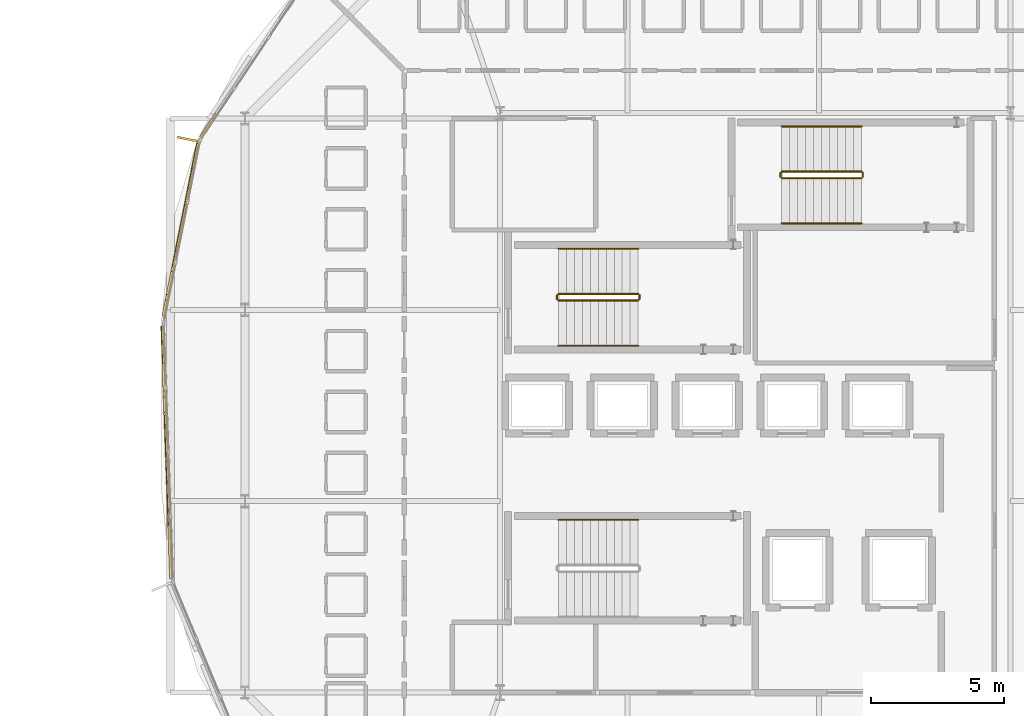
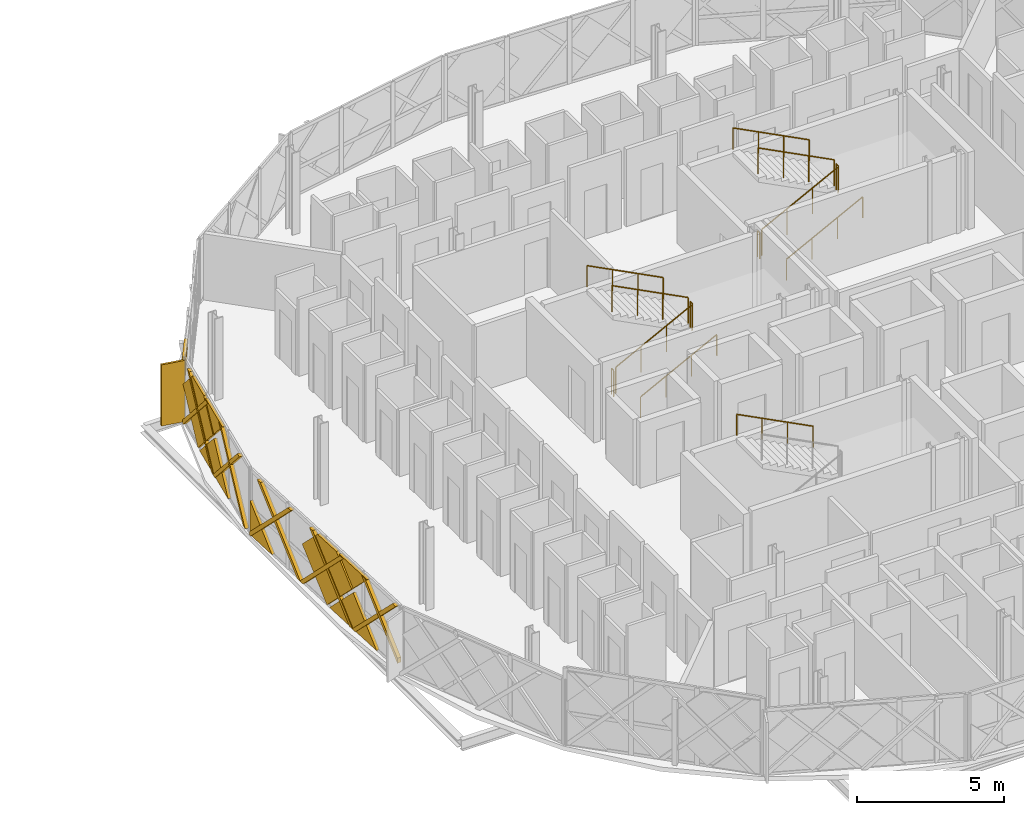
# One storey, part 38 of 40: 18 coverings, 13 railings, 1 shading device.
"""IFC4 building model written with IfcOpenShell, lengths in metres."""

import ifcopenshell
import ifcopenshell.guid

model = None  # the IFC model being written
_history = None  # IfcOwnerHistory: only IFC2X3 demands one
_inside = {}  # id of a spatial element -> (the spatial element, [elements in it])
_under = {}  # id of a project, library or spatial element -> (it, [spatial elements below it])
_declared = {}  # id of a project -> (the project, [libraries it declares])
_typed = {}  # id of a type object -> (the type object, [elements of that type])
_made_of = {}  # id of a material, layer set ... -> (it, [elements and type objects made of it])


def new_model(schema):
    """Start an empty IFC model of exactly this schema.

    Asked for "IFC4X3", IfcOpenShell would pick the latest addendum, in which some entities
    have other attributes; the version numbers below select the first issue.
    IFC2X3 requires an IfcOwnerHistory on every rooted entity: one is made here for all.
    """
    global model, _history
    if schema == "IFC4X3":
        model = ifcopenshell.file(schema_version=(4, 3, 0, 0))
    else:
        model = ifcopenshell.file(schema=schema)
    _inside.clear()
    _under.clear()
    _declared.clear()
    _typed.clear()
    _made_of.clear()
    _history = None
    if model.schema == "IFC2X3":
        org = make("IfcOrganization", Name="unknown")
        user = make(
            "IfcPersonAndOrganization",
            ThePerson=make("IfcPerson", FamilyName="unknown"),
            TheOrganization=org,
        )
        app = make(
            "IfcApplication",
            ApplicationDeveloper=org,
            Version="unknown",
            ApplicationFullName="unknown",
            ApplicationIdentifier="unknown",
        )
        _history = make(
            "IfcOwnerHistory",
            OwningUser=user,
            OwningApplication=app,
            ChangeAction="ADDED",
            CreationDate=0,
        )
    return model


def make(cls, **values):
    """One entity of the class cls with the attributes given. An attribute that is None is left unset."""
    return model.create_entity(
        cls, **{name: value for name, value in values.items() if value is not None}
    )


def rooted(cls, **values):
    """An entity with a GlobalId (a new one), such as an element, a storey or a relation."""
    return make(cls, GlobalId=ifcopenshell.guid.new(), OwnerHistory=_history, **values)


def si_unit(unit_type, name, prefix=None):
    """IfcSIUnit, for example si_unit("LENGTHUNIT", "METRE", prefix="MILLI")."""
    return make("IfcSIUnit", UnitType=unit_type, Prefix=prefix, Name=name)


def assignment(units):
    """IfcUnitAssignment: the units of a project."""
    return None if units is None else make("IfcUnitAssignment", Units=units)


def point(xyz):
    """IfcCartesianPoint."""
    return None if xyz is None else make("IfcCartesianPoint", Coordinates=xyz)


def direction(xyz):
    """IfcDirection."""
    return None if xyz is None else make("IfcDirection", DirectionRatios=xyz)


def frame(location, z_axis=None, x_axis=None):
    """IfcAxis2Placement3D, a coordinate frame: its origin and axes. An axis left out is left unset."""
    return make(
        "IfcAxis2Placement3D",
        Location=point(location),
        Axis=direction(z_axis),
        RefDirection=direction(x_axis),
    )


def frame_2d(location, x_axis=None):
    """IfcAxis2Placement2D, a coordinate frame in the plane: its origin and x axis."""
    return make(
        "IfcAxis2Placement2D", Location=point(location), RefDirection=direction(x_axis)
    )


def origin():
    """The frame at (0, 0, 0) with its axes left unset."""
    return frame((0.0, 0.0, 0.0))


def origin_2d():
    """The frame at (0, 0) in the plane with its x axis left unset."""
    return frame_2d((0.0, 0.0))


def place(relative_to, where):
    """IfcLocalPlacement: puts the frame where relative to a parent placement (None: the world)."""
    return make(
        "IfcLocalPlacement", PlacementRelTo=relative_to, RelativePlacement=where
    )


def context(
    kind, dimensions, precision=None, world=None, true_north=None, identifier=None
):
    """IfcGeometricRepresentationContext, for example the 3D "Model" context."""
    return make(
        "IfcGeometricRepresentationContext",
        ContextIdentifier=identifier,
        ContextType=kind,
        CoordinateSpaceDimension=dimensions,
        Precision=precision,
        WorldCoordinateSystem=world,
        TrueNorth=true_north,
    )


def subcontext(parent, identifier, kind, view, scale=None):
    """IfcGeometricRepresentationSubContext, for example "Body" below "Model"."""
    return make(
        "IfcGeometricRepresentationSubContext",
        ContextIdentifier=identifier,
        ContextType=kind,
        ParentContext=parent,
        TargetScale=scale,
        TargetView=view,
    )


def project(units=None, contexts=None):
    """IfcProject with its units and contexts."""
    return rooted(
        "IfcProject",
        Name="project",
        RepresentationContexts=contexts,
        UnitsInContext=assignment(units),
    )


def spatial(cls, under=None, at=None, **own):
    """A site, building, storey or space (cls), placed at a placement, below another one or the project."""
    s = rooted(cls, ObjectPlacement=at, **own)
    if under is not None:
        _under.setdefault(under.id(), (under, []))[1].append(s)
    return s


def polyline(points):
    """IfcPolyline through the points."""
    return make("IfcPolyline", Points=[point(p) for p in points])


def profile(cls, at=None, kind="AREA", **sizes):
    """A parametric profile (cls). Its sizes go by their IFC names, for example OverallWidth=200.0."""
    return make(cls, ProfileType=kind, Position=at, **sizes)


def rectangle(**sizes):
    """IfcRectangleProfileDef."""
    return profile("IfcRectangleProfileDef", **sizes)


def circle(**sizes):
    """IfcCircleProfileDef."""
    return profile("IfcCircleProfileDef", **sizes)


def outline(outer, holes=None, kind="AREA"):
    """IfcArbitraryClosedProfileDef: a profile drawn as a closed curve; with holes, ...WithVoids."""
    if holes is None:
        return make("IfcArbitraryClosedProfileDef", ProfileType=kind, OuterCurve=outer)
    return make(
        "IfcArbitraryProfileDefWithVoids",
        ProfileType=kind,
        OuterCurve=outer,
        InnerCurves=holes,
    )


def extrude(swept, where, along, depth):
    """IfcExtrudedAreaSolid: the profile swept, set in the frame where, extruded along a direction by depth."""
    return make(
        "IfcExtrudedAreaSolid",
        SweptArea=swept,
        Position=where,
        ExtrudedDirection=direction(along),
        Depth=depth,
    )


def shape(context_of_items, identifier, shape_type, items):
    """IfcShapeRepresentation: the items that make up one representation, for example the "Body"."""
    return make(
        "IfcShapeRepresentation",
        ContextOfItems=context_of_items,
        RepresentationIdentifier=identifier,
        RepresentationType=shape_type,
        Items=items,
    )


def material(Name=None, Category=None):
    """IfcMaterial."""
    return make("IfcMaterial", Name=Name, Category=Category)


def layer(
    of_material, thickness, ventilated=None, Name=None, Category=None, Priority=None
):
    """IfcMaterialLayer: one layer of a wall or slab, of a material (None: an air gap)."""
    return make(
        "IfcMaterialLayer",
        Material=of_material,
        LayerThickness=thickness,
        IsVentilated=ventilated,
        Name=Name,
        Category=Category,
        Priority=Priority,
    )


def layer_set(layers, Name=None):
    """IfcMaterialLayerSet."""
    return make("IfcMaterialLayerSet", MaterialLayers=layers, LayerSetName=Name)


def made_of(thing, what):
    """Note that an element or type object is made of a material, layer set ...; save() writes the relation."""
    if what is not None:
        _made_of.setdefault(what.id(), (what, []))[1].append(thing)
    return thing


def type_object(cls, material=None, **own):
    """A type object (cls), such as IfcWallType, which elements share."""
    return made_of(rooted(cls, **own), material)


def element(
    cls,
    number,
    at=None,
    inside=None,
    cuts=None,
    type_object=None,
    material=None,
    context=None,
    identifier="Body",
    shape_type=None,
    held_by="IfcProductDefinitionShape",
    body=None,
    shapes=None,
    **own,
):
    """One element of the class cls, such as IfcWall. Its Tag is "e" and its number.

    at: its placement. inside: the storey or other place that contains it. cuts: it is an
    opening in that element (IfcRelVoidsElement). A single representation is given by context,
    identifier, shape_type and body (its items); several are given by shapes. held_by: the class
    of the entity that holds the representations. save() writes the other relations.
    """
    e = rooted(cls, Tag="e%d" % number, ObjectPlacement=at, **own)
    if body is not None:
        shapes = [shape(context, identifier, shape_type, body)]
    if shapes is not None:
        e.Representation = make(held_by, Representations=shapes)
    if inside is not None:
        _inside.setdefault(inside.id(), (inside, []))[1].append(e)
    if cuts is not None:
        rooted(
            "IfcRelVoidsElement", RelatingBuildingElement=cuts, RelatedOpeningElement=e
        )
    if type_object is not None:
        _typed.setdefault(type_object.id(), (type_object, []))[1].append(e)
    return made_of(e, material)


def aggregate(whole, parts):
    """IfcRelAggregates: a whole, such as a stair, and the parts it consists of."""
    return rooted("IfcRelAggregates", RelatingObject=whole, RelatedObjects=parts)


def save(model, path):
    """Write the relations noted so far, then the file.

    IfcRelAggregates (storeys below a building ...), IfcRelContainedInSpatialStructure (elements
    in a storey), IfcRelDefinesByType, IfcRelAssociatesMaterial and IfcRelDeclares: one each for
    every whole, place, type object, material and project.
    """
    for whole, parts in _under.values():
        aggregate(whole, parts)
    for where, things in _inside.values():
        rooted(
            "IfcRelContainedInSpatialStructure",
            RelatedElements=things,
            RelatingStructure=where,
        )
    for kind, things in _typed.values():
        rooted("IfcRelDefinesByType", RelatedObjects=things, RelatingType=kind)
    for what, things in _made_of.values():
        rooted("IfcRelAssociatesMaterial", RelatedObjects=things, RelatingMaterial=what)
    for by, libraries in _declared.values():
        rooted("IfcRelDeclares", RelatingContext=by, RelatedDefinitions=libraries)
    model.write(path)


model = new_model("IFC4")

# Units and contexts
model_context = context("Model", 3, precision=1e-05, world=origin(), true_north=direction((0.0, 1.0)))
body_context = subcontext(model_context, "Body", "Model", "MODEL_VIEW")
ifc_project = project(units=[si_unit("LENGTHUNIT", "METRE"), si_unit("AREAUNIT", "SQUARE_METRE"), si_unit("VOLUMEUNIT", "CUBIC_METRE"), si_unit("PLANEANGLEUNIT", "RADIAN"), si_unit("MASSUNIT", "GRAM", prefix="KILO")], contexts=[model_context])

# Site, building, storey
site_placement = place(None, origin())
site = spatial("IfcSite", under=ifc_project, at=site_placement, CompositionType="ELEMENT")
building_placement = place(site_placement, origin())
building = spatial("IfcBuilding", under=site, at=building_placement, Name="Zevrakil Square Congress Hotel", CompositionType="ELEMENT")
storey_placement = place(building_placement, frame((0.0, 0.0, 18.10009765625)))
storey = spatial("IfcBuildingStorey", under=building, at=storey_placement, Name="L05", CompositionType="ELEMENT", Elevation=18.10009765625)

# Coverings
ifc_material_1 = material(Name="Architectural White Fibre-C GRC", Category="concrete")
ifc_layer_1 = layer(ifc_material_1, 0.06494140625)
ifc_layer_set_1 = layer_set([ifc_layer_1], Name="Architectural White Fibre-C GRC")
covering_type_1 = type_object("IfcCoveringType", Name="COV-DIA-WHITE", PredefinedType="CLADDING", material=ifc_layer_set_1)
covering_1_placement = place(storey_placement, frame((125.5947265625, 37.8583984375, 1.77001953125), z_axis=(-0.831540139876, 0.555464096178, 0.000796010431), x_axis=(0.393309836321, 0.587779036879, 0.706981737005)))
element("IfcCovering", 1, at=covering_1_placement, inside=storey, type_object=covering_type_1, Name="L05 45-degree white GRC diamond facade cassette 2423", PredefinedType="CLADDING", context=body_context, shape_type="SweptSolid", body=[
    extrude(outline(polyline([(0.0, 0.0), (1.2656273309942652, -1.1102230246251565e-16), (0.5012807679407145, -0.7640767600801669), (-0.0001793850460992119, -0.2625360340766439), (0.0, 0.0)])), origin(), (0.0, 0.0, -1.0), 0.1201171875),
])
covering_2_placement = place(storey_placement, frame((124.7666015625, 34.29150390625, 1.58984375), z_axis=(-0.980772761195, 0.195152113874, 0.00066584368), x_axis=(-0.138452026145, -0.693403417479, -0.70712285855)))
element("IfcCovering", 2, at=covering_2_placement, inside=storey, type_object=covering_type_1, Name="L05 45-degree white GRC diamond facade cassette 2428", PredefinedType="CLADDING", context=body_context, shape_type="SweptSolid", body=[
    extrude(outline(polyline([(0.0, 0.0), (2.1354277370134915, 0.0), (2.8945028464733014e-05, -2.13549684649022), (0.0, 0.0)])), origin(), (0.0, 0.0, -1.0), 0.1201171875),
])
covering_3_placement = place(storey_placement, frame((124.7841796875, 34.3798828125, 1.679931640625), z_axis=(-0.980786468834, 0.195083366081, 0.000618733654), x_axis=(0.137507610162, 0.693565742481, -0.707147946334)))
element("IfcCovering", 3, at=covering_3_placement, inside=storey, type_object=covering_type_1, Name="L05 45-degree white GRC diamond facade cassette 2429", PredefinedType="CLADDING", context=body_context, shape_type="SweptSolid", body=[
    extrude(outline(polyline([(0.0, 0.0), (2.2485930595475336, 2.220446049250313e-16), (2.248500872274836, -2.234606772823052), (2.2343441018648336, -2.248761889551516), (0.8554681883277558, -2.2484567043798855), (-9.649263601874125e-05, -1.3927920457710392), (0.0, 0.0)])), origin(), (0.0, 0.0, -1.0), 0.1201171875),
])
covering_4_placement = place(storey_placement, frame((124.7666015625, 34.29150390625, 1.77001953125), z_axis=(-0.980795010959, 0.195040587633, 0.000561830918), x_axis=(0.138319236448, 0.693525320824, 0.70702929091)))
element("IfcCovering", 4, at=covering_4_placement, inside=storey, type_object=covering_type_1, Name="L05 45-degree white GRC diamond facade cassette 2430", PredefinedType="CLADDING", context=body_context, shape_type="SweptSolid", body=[
    extrude(outline(polyline([(0.0, 0.0), (1.2655421806835698, 0.0), (-0.0003116010954457016, -1.265576782509282), (0.0, 0.0)])), origin(), (0.0, 0.0, -1.0), 0.1201171875),
])
covering_5_placement = place(storey_placement, frame((124.106201171875, 29.18505859375, 0.079833984375), z_axis=(-0.999369758157, -0.035493901667, 0.00051906324), x_axis=(-0.035493906449, 0.999369892785, 0.0)))
element("IfcCovering", 5, at=covering_5_placement, inside=storey, type_object=covering_type_1, Name="L05 45-degree white GRC diamond facade cassette 2435", PredefinedType="CLADDING", context=body_context, shape_type="SweptSolid", body=[
    extrude(outline(polyline([(0.0, 0.0), (1.4100681816349463, 6.776263578034403e-21), (1.4100421851214342, -1.4101564399668738), (0.0, 0.0)])), origin(), (0.0, 0.0, -1.0), 0.1201171875),
])
covering_6_placement = place(storey_placement, frame((124.29248046875, 23.978515625, 1.58984375), z_axis=(-0.999366959845, -0.035570414361, 0.000652067624), x_axis=(0.024692890579, -0.706719673874, -0.707062630687)))
element("IfcCovering", 6, at=covering_6_placement, inside=storey, type_object=covering_type_1, Name="L05 45-degree white GRC diamond facade cassette 2436", PredefinedType="CLADDING", context=body_context, shape_type="SweptSolid", body=[
    extrude(outline(polyline([(0.0, 0.0), (2.1356096335581944, 0.0), (3.017059859167226e-05, -2.1353137121155017), (0.0, 0.0)])), origin(), (0.0, 0.0, -1.0), 0.1201171875),
])
covering_7_placement = place(storey_placement, frame((124.289306640625, 24.068359375, 1.679931640625), z_axis=(-0.999367967349, -0.035541965865, 0.000659165609), x_axis=(-0.025596402536, 0.706604089833, -0.7071460135)))
element("IfcCovering", 7, at=covering_7_placement, inside=storey, type_object=covering_type_1, Name="L05 45-degree white GRC diamond facade cassette 2437", PredefinedType="CLADDING", context=body_context, shape_type="SweptSolid", body=[
    extrude(outline(polyline([(0.0, 0.0), (2.2485991585827856, 2.220446049250313e-16), (2.2484659598948284, -2.248716447413149), (0.8555480440172334, -2.2485282344830027), (2.3839125550262352e-06, -1.3928872241279036), (0.0, 0.0)])), origin(), (0.0, 0.0, -1.0), 0.1201171875),
])
covering_8_placement = place(storey_placement, frame((124.29248046875, 23.978515625, 1.77001953125), z_axis=(-0.999365922442, -0.03559908636, 0.000676839089), x_axis=(-0.024694886005, 0.706698183102, 0.707084040695)))
element("IfcCovering", 8, at=covering_8_placement, inside=storey, type_object=covering_type_1, Name="L05 45-degree white GRC diamond facade cassette 2438", PredefinedType="CLADDING", context=body_context, shape_type="SweptSolid", body=[
    extrude(outline(polyline([(0.0, 0.0), (1.2654441892720572, 0.0), (-0.00028407069682556685, -1.2656474322495799), (0.0, 0.0)])), origin(), (0.0, 0.0, -1.0), 0.1201171875),
])
ifc_material_2 = material(Name="Anodised Champagne Aluminium", Category="aluminium")
ifc_layer_2 = layer(ifc_material_2, 0.0849609375)
ifc_layer_set_2 = layer_set([ifc_layer_2], Name="Anodised Champagne Aluminium")
covering_type_2 = type_object("IfcCoveringType", Name="COV-DIAGRID-45", PredefinedType="MOLDING", material=ifc_layer_set_2)
covering_9_placement = place(storey_placement, frame((125.3603515625, 37.409423828125, 0.079833984375), z_axis=(-0.980745988599, 0.195286058453, 0.000813154933), x_axis=(0.195286121401, 0.980746313164, -2.025288e-06)))
element("IfcCovering", 9, at=covering_9_placement, inside=storey, type_object=covering_type_2, Name="L05 45-degree aluminium diagrid rib 2431", PredefinedType="MOLDING", context=body_context, shape_type="SweptSolid", body=[
    extrude(outline(polyline([(0.0, 0.0), (0.08608830093014747, 3.3881317890172014e-21), (0.08613572257255109, -0.12622085619323986), (-2.3729364167245546, -2.584956914309024), (-2.5850444488177144, -2.5849564166160226), (0.0, 0.0)])), origin(), (0.0, 0.0, -1.0), 0.14501953125),
])
covering_10_placement = place(storey_placement, frame((124.704833984375, 34.114013671875, 0.079833984375), z_axis=(-0.980801178181, 0.19500973572, 0.000501849628), x_axis=(0.195009760166, 0.980801301712, -2.27003e-07)))
element("IfcCovering", 10, at=covering_10_placement, inside=storey, type_object=covering_type_2, Name="L05 45-degree aluminium diagrid rib 2432", PredefinedType="MOLDING", context=body_context, shape_type="SweptSolid", body=[
    extrude(outline(polyline([(0.0, 0.0), (0.21206039026530166, -3.3881317890172014e-21), (-2.3726927879494366, -2.584960724407069), (-2.5850402414622673, -2.5849606280652466), (0.0, 0.0)])), origin(), (0.0, 0.0, -1.0), 0.14501953125),
])
covering_11_placement = place(storey_placement, frame((125.283203125, 37.01416015625, 2.664794921875), z_axis=(-0.980801096667, 0.195009719513, 0.00064658568), x_axis=(-0.195009760463, -0.980801301653, -2.92076e-07)))
element("IfcCovering", 11, at=covering_11_placement, inside=storey, type_object=covering_type_2, Name="L05 45-degree aluminium diagrid rib 2433", PredefinedType="MOLDING", context=body_context, shape_type="SweptSolid", body=[
    extrude(outline(polyline([(0.0, 0.0), (0.21234745351285583, 0.0), (2.797193210711401, -2.584960660857466), (2.5851328204461317, -2.5849607848169702), (0.0, 0.0)])), origin(), (0.0, 0.0, -1.0), 0.14501953125),
])
covering_12_placement = place(storey_placement, frame((124.627685546875, 33.718505859375, 2.664794921875), z_axis=(-0.980779262203, 0.195119818009, 0.000543556032), x_axis=(-0.195119846997, -0.980779407057, -3.06809e-07)))
element("IfcCovering", 12, at=covering_12_placement, inside=storey, type_object=covering_type_2, Name="L05 45-degree aluminium diagrid rib 2434", PredefinedType="MOLDING", context=body_context, shape_type="SweptSolid", body=[
    extrude(outline(polyline([(0.0, 0.0), (0.21210801484432487, 0.0), (2.796953970680393, -2.5849604612359265), (2.584893592517464, -2.584960591374769), (0.0, 0.0)])), origin(), (0.0, 0.0, -1.0), 0.14501953125),
])
covering_13_placement = place(storey_placement, frame((124.0341796875, 30.50732421875, 0.079833984375), z_axis=(-0.999369911427, -0.035487434342, 0.000649721299), x_axis=(-0.035487441234, 0.999370122384, 9.20774e-07)))
element("IfcCovering", 13, at=covering_13_placement, inside=storey, type_object=covering_type_2, Name="L05 45-degree aluminium diagrid rib 2439", PredefinedType="MOLDING", context=body_context, shape_type="SweptSolid", body=[
    extrude(outline(polyline([(0.0, 0.0), (0.08598733700536541, 2.117582368135751e-22), (0.08598745322616103, -0.12622067648368082), (-2.372891559782849, -2.5849637012375943), (-2.584940724066923, -2.5849639246227887), (0.0, 0.0)])), origin(), (0.0, 0.0, -1.0), 0.14501953125),
])
covering_14_placement = place(storey_placement, frame((124.15380859375, 27.1494140625, 0.079833984375), z_axis=(-0.999362779256, -0.035691527831, 0.000387658264), x_axis=(-0.035691530512, 0.999362854348, 0.0)))
element("IfcCovering", 14, at=covering_14_placement, inside=storey, type_object=covering_type_2, Name="L05 45-degree aluminium diagrid rib 2440", PredefinedType="MOLDING", context=body_context, shape_type="SweptSolid", body=[
    extrude(outline(polyline([(0.0, 0.0), (0.21204916870594673, 0.0), (-2.3728855301483414, -2.5849611317326033), (-2.584934698854288, -2.5849611317326033), (0.0, 0.0)])), origin(), (0.0, 0.0, -1.0), 0.14501953125),
])
covering_15_placement = place(storey_placement, frame((124.273193359375, 23.79150390625, 0.079833984375), z_axis=(-0.999362738238, -0.035691526366, 0.000482044604), x_axis=(-0.035691530512, 0.999362854348, 0.0)))
element("IfcCovering", 15, at=covering_15_placement, inside=storey, type_object=covering_type_2, Name="L05 45-degree aluminium diagrid rib 2441", PredefinedType="MOLDING", context=body_context, shape_type="SweptSolid", body=[
    extrude(outline(polyline([(0.0, 0.0), (0.21204916870594673, 0.0), (-2.3728942439009075, -2.5849612378298623), (-2.5849434126068545, -2.5849612378298623), (0.0, 0.0)])), origin(), (0.0, 0.0, -1.0), 0.14501953125),
])
covering_16_placement = place(storey_placement, frame((124.050048828125, 30.104736328125, 2.664794921875), z_axis=(-0.999363323589, -0.03567099946, 0.000726128736), x_axis=(0.035671008853, -0.999363587053, -1.4894e-08)))
element("IfcCovering", 16, at=covering_16_placement, inside=storey, type_object=covering_type_2, Name="L05 45-degree aluminium diagrid rib 2442", PredefinedType="MOLDING", context=body_context, shape_type="SweptSolid", body=[
    extrude(outline(polyline([(0.0, 0.0), (0.21229315391198408, 0.0), (2.797123365234706, -2.584961577317762), (2.585074196573467, -2.584961583637796), (0.0, 0.0)])), origin(), (0.0, 0.0, -1.0), 0.14501953125),
])
covering_17_placement = place(storey_placement, frame((124.169677734375, 26.746826171875, 2.664794921875), z_axis=(-0.999383214915, -0.0351165761, 0.000125814806), x_axis=(0.035116576369, -0.999383222825, -7.2386e-08)))
element("IfcCovering", 17, at=covering_17_placement, inside=storey, type_object=covering_type_2, Name="L05 45-degree aluminium diagrid rib 2443", PredefinedType="MOLDING", context=body_context, shape_type="SweptSolid", body=[
    extrude(outline(polyline([(0.0, 0.0), (0.21204056023026943, 0.0), (2.797124124729972, -2.5849607554863665), (2.5850749911168, -2.584960786184547), (0.0, 0.0)])), origin(), (0.0, 0.0, -1.0), 0.14501953125),
])
covering_18_placement = place(storey_placement, frame((124.2890625, 23.388916015625, 2.664794921875), z_axis=(-0.999355771874, -0.035876310237, 0.000965186898), x_axis=(0.035876326776, -0.999356237373, -1.78477e-07)))
element("IfcCovering", 18, at=covering_18_placement, inside=storey, type_object=covering_type_2, Name="L05 45-degree aluminium diagrid rib 2444", PredefinedType="MOLDING", context=body_context, shape_type="SweptSolid", body=[
    extrude(outline(polyline([(0.0, 0.0), (0.21204916508059773, -8.470329472543003e-22), (2.2948626289025023, -2.082764232431056), (2.2948539078990886, -2.294922572225449), (0.0, 0.0)])), origin(), (0.0, 0.0, -1.0), 0.14501953125),
])

# Railings
ifc_material_3 = material(Name="Steel S355", Category="steel")
railing_type_1 = type_object("IfcRailingType", Name="RLG-STAIR-GUARD-1100", PredefinedType="BALUSTRADE", material=ifc_material_3)
railing_1_placement = place(storey_placement, frame((139.0, 31.550048828125, 0.154541015625)))
element("IfcRailing", 19, at=railing_1_placement, inside=storey, type_object=railing_type_1, Name="L05 ST02 stair guard 1", PredefinedType="BALUSTRADE", context=body_context, shape_type="SweptSolid", body=[
    extrude(circle(Radius=0.02392578125, at=origin_2d()), frame((0.0, 0.0, 1.076171875), z_axis=(0.888979911393, 0.0, 0.45794619459), x_axis=(0.0, 1.0, 0.0)), (0.0, 0.0, 1.0), 3.374755859375),
    extrude(circle(Radius=0.02099609375, at=origin_2d()), origin(), (0.0, 0.0, 1.0), 1.052001953125),
    extrude(circle(Radius=0.02099609375, at=origin_2d()), frame((1.0, 0.0, 0.51513671875)), (0.0, 0.0, 1.0), 1.052001953125),
    extrude(circle(Radius=0.02099609375, at=origin_2d()), frame((2.0, 0.0, 1.0302734375)), (0.0, 0.0, 1.0), 1.052001953125),
    extrude(circle(Radius=0.02099609375, at=origin_2d()), frame((3.0, 0.0, 1.54541015625)), (0.0, 0.0, 1.0), 1.052001953125),
])
railing_2_placement = place(storey_placement, frame((142.050048828125, 31.60009765625, 1.699951171875)))
element("IfcRailing", 20, at=railing_2_placement, inside=storey, type_object=railing_type_1, Name="L05 ST02 stair guard 2", PredefinedType="BALUSTRADE", context=body_context, shape_type="SweptSolid", body=[
    extrude(circle(Radius=0.02392578125, at=origin_2d()), frame((0.0, 0.0, 1.076171875), z_axis=(0.0, 1.0, 0.0), x_axis=(-1.0, 0.0, 0.0)), (0.0, 0.0, 1.0), 0.14990234375),
    extrude(circle(Radius=0.02099609375, at=origin_2d()), origin(), (0.0, 0.0, 1.0), 1.052001953125),
    extrude(circle(Radius=0.02099609375, at=origin_2d()), frame((0.0, 0.14990234375, 0.0)), (0.0, 0.0, 1.0), 1.052001953125),
])
railing_3_placement = place(storey_placement, frame((142.0, 31.800048828125, 1.8544921875)))
element("IfcRailing", 21, at=railing_3_placement, inside=storey, type_object=railing_type_1, Name="L05 ST02 stair guard 3", PredefinedType="BALUSTRADE", context=body_context, shape_type="SweptSolid", body=[
    extrude(circle(Radius=0.02392578125, at=origin_2d()), frame((0.0, 0.0, 1.076171875), z_axis=(-0.888979911393, 0.0, 0.45794619459), x_axis=(0.0, -1.0, 0.0)), (0.0, 0.0, 1.0), 3.374755859375),
    extrude(circle(Radius=0.02099609375, at=origin_2d()), origin(), (0.0, 0.0, 1.0), 1.052001953125),
    extrude(circle(Radius=0.02099609375, at=origin_2d()), frame((-1.0, 0.0, 0.51513671875)), (0.0, 0.0, 1.0), 1.052001953125),
    extrude(circle(Radius=0.02099609375, at=origin_2d()), frame((-2.0, 0.0, 1.0302734375)), (0.0, 0.0, 1.0), 1.052001953125),
    extrude(circle(Radius=0.02099609375, at=origin_2d()), frame((-3.0, 0.0, 1.54541015625)), (0.0, 0.0, 1.0), 1.052001953125),
])
railing_4_placement = place(storey_placement, frame((138.949951171875, 31.60009765625, 0.0)))
element("IfcRailing", 22, at=railing_4_placement, inside=storey, type_object=railing_type_1, Name="L05 ST02 stair guard 4", PredefinedType="BALUSTRADE", context=body_context, shape_type="SweptSolid", body=[
    extrude(circle(Radius=0.02392578125, at=origin_2d()), frame((0.0, 0.0, 1.076171875), z_axis=(0.0, 1.0, 0.0), x_axis=(-1.0, 0.0, 0.0)), (0.0, 0.0, 1.0), 0.14990234375),
    extrude(circle(Radius=0.02099609375, at=origin_2d()), origin(), (0.0, 0.0, 1.0), 1.052001953125),
    extrude(circle(Radius=0.02099609375, at=origin_2d()), frame((0.0, 0.14990234375, 0.0)), (0.0, 0.0, 1.0), 1.052001953125),
])
railing_5_placement = place(storey_placement, frame((147.39990234375, 36.14990234375, 0.154541015625)))
element("IfcRailing", 23, at=railing_5_placement, inside=storey, type_object=railing_type_1, Name="L05 ST03 stair guard 1", PredefinedType="BALUSTRADE", context=body_context, shape_type="SweptSolid", body=[
    extrude(circle(Radius=0.02392578125, at=origin_2d()), frame((0.0, 0.0, 1.076171875), z_axis=(0.888979911393, 0.0, 0.45794619459), x_axis=(0.0, 1.0, 0.0)), (0.0, 0.0, 1.0), 3.374755859375),
    extrude(circle(Radius=0.02099609375, at=origin_2d()), origin(), (0.0, 0.0, 1.0), 1.052001953125),
    extrude(circle(Radius=0.02099609375, at=origin_2d()), frame((1.0, 0.0, 0.51513671875)), (0.0, 0.0, 1.0), 1.052001953125),
    extrude(circle(Radius=0.02099609375, at=origin_2d()), frame((2.0, 0.0, 1.0302734375)), (0.0, 0.0, 1.0), 1.052001953125),
    extrude(circle(Radius=0.02099609375, at=origin_2d()), frame((3.0, 0.0, 1.54541015625)), (0.0, 0.0, 1.0), 1.052001953125),
])
railing_6_placement = place(storey_placement, frame((150.449951171875, 36.199951171875, 1.699951171875)))
element("IfcRailing", 24, at=railing_6_placement, inside=storey, type_object=railing_type_1, Name="L05 ST03 stair guard 2", PredefinedType="BALUSTRADE", context=body_context, shape_type="SweptSolid", body=[
    extrude(circle(Radius=0.02392578125, at=origin_2d()), frame((0.0, 0.0, 1.076171875), z_axis=(0.0, 1.0, 0.0), x_axis=(-1.0, 0.0, 0.0)), (0.0, 0.0, 1.0), 0.150146484375),
    extrude(circle(Radius=0.02099609375, at=origin_2d()), origin(), (0.0, 0.0, 1.0), 1.052001953125),
    extrude(circle(Radius=0.02099609375, at=origin_2d()), frame((0.0, 0.150146484375, 0.0)), (0.0, 0.0, 1.0), 1.052001953125),
])
railing_7_placement = place(storey_placement, frame((150.39990234375, 36.39990234375, 1.8544921875)))
element("IfcRailing", 25, at=railing_7_placement, inside=storey, type_object=railing_type_1, Name="L05 ST03 stair guard 3", PredefinedType="BALUSTRADE", context=body_context, shape_type="SweptSolid", body=[
    extrude(circle(Radius=0.02392578125, at=origin_2d()), frame((0.0, 0.0, 1.076171875), z_axis=(-0.888979911393, 0.0, 0.45794619459), x_axis=(0.0, -1.0, 0.0)), (0.0, 0.0, 1.0), 3.374755859375),
    extrude(circle(Radius=0.02099609375, at=origin_2d()), origin(), (0.0, 0.0, 1.0), 1.052001953125),
    extrude(circle(Radius=0.02099609375, at=origin_2d()), frame((-1.0, 0.0, 0.51513671875)), (0.0, 0.0, 1.0), 1.052001953125),
    extrude(circle(Radius=0.02099609375, at=origin_2d()), frame((-2.0, 0.0, 1.0302734375)), (0.0, 0.0, 1.0), 1.052001953125),
    extrude(circle(Radius=0.02099609375, at=origin_2d()), frame((-3.0, 0.0, 1.54541015625)), (0.0, 0.0, 1.0), 1.052001953125),
])
railing_8_placement = place(storey_placement, frame((147.35009765625, 36.199951171875, 0.0)))
element("IfcRailing", 26, at=railing_8_placement, inside=storey, type_object=railing_type_1, Name="L05 ST03 stair guard 4", PredefinedType="BALUSTRADE", context=body_context, shape_type="SweptSolid", body=[
    extrude(circle(Radius=0.02392578125, at=origin_2d()), frame((0.0, 0.0, 1.076171875), z_axis=(0.0, 1.0, 0.0), x_axis=(-1.0, 0.0, 0.0)), (0.0, 0.0, 1.0), 0.150146484375),
    extrude(circle(Radius=0.02099609375, at=origin_2d()), origin(), (0.0, 0.0, 1.0), 1.052001953125),
    extrude(circle(Radius=0.02099609375, at=origin_2d()), frame((0.0, 0.150146484375, 0.0)), (0.0, 0.0, 1.0), 1.052001953125),
])
ifc_material_4 = material(Name="Steel S355", Category="steel")
railing_type_2 = type_object("IfcRailingType", Name="RLG-STAIR-HAND-900", PredefinedType="HANDRAIL", material=ifc_material_4)
railing_9_placement = place(storey_placement, frame((142.0, 23.300048828125, 1.8544921875)))
element("IfcRailing", 27, at=railing_9_placement, inside=storey, type_object=railing_type_2, Name="L05 ST01 stair handrail 2", PredefinedType="HANDRAIL", context=body_context, shape_type="SweptSolid", body=[
    extrude(circle(Radius=0.02392578125, at=origin_2d()), frame((0.0, 0.0, 0.8759765625), z_axis=(-0.888979911393, 0.0, 0.45794619459), x_axis=(0.0, -1.0, 0.0)), (0.0, 0.0, 1.0), 3.374755859375),
    extrude(circle(Radius=0.02099609375, at=origin_2d()), origin(), (0.0, 0.0, 1.0), 0.851806640625),
    extrude(circle(Radius=0.02099609375, at=origin_2d()), frame((-1.0, 0.0, 0.51513671875)), (0.0, 0.0, 1.0), 0.851806640625),
    extrude(circle(Radius=0.02099609375, at=origin_2d()), frame((-2.0, 0.0, 1.0302734375)), (0.0, 0.0, 1.0), 0.851806640625),
    extrude(circle(Radius=0.02099609375, at=origin_2d()), frame((-3.0, 0.0, 1.54541015625)), (0.0, 0.0, 1.0), 0.851806640625),
])
railing_10_placement = place(storey_placement, frame((139.0, 29.85009765625, 0.154541015625)))
element("IfcRailing", 28, at=railing_10_placement, inside=storey, type_object=railing_type_2, Name="L05 ST02 stair handrail 1", PredefinedType="HANDRAIL", context=body_context, shape_type="SweptSolid", body=[
    extrude(circle(Radius=0.02392578125, at=origin_2d()), frame((0.0, 0.0, 0.8759765625), z_axis=(0.888979911393, 0.0, 0.45794619459), x_axis=(0.0, 1.0, 0.0)), (0.0, 0.0, 1.0), 3.374755859375),
    extrude(circle(Radius=0.02099609375, at=origin_2d()), origin(), (0.0, 0.0, 1.0), 0.851806640625),
    extrude(circle(Radius=0.02099609375, at=origin_2d()), frame((1.0, 0.0, 0.51513671875)), (0.0, 0.0, 1.0), 0.851806640625),
    extrude(circle(Radius=0.02099609375, at=origin_2d()), frame((2.0, 0.0, 1.0302734375)), (0.0, 0.0, 1.0), 0.851806640625),
    extrude(circle(Radius=0.02099609375, at=origin_2d()), frame((3.0, 0.0, 1.54541015625)), (0.0, 0.0, 1.0), 0.851806640625),
])
railing_11_placement = place(storey_placement, frame((142.0, 33.5, 1.8544921875)))
element("IfcRailing", 29, at=railing_11_placement, inside=storey, type_object=railing_type_2, Name="L05 ST02 stair handrail 2", PredefinedType="HANDRAIL", context=body_context, shape_type="SweptSolid", body=[
    extrude(circle(Radius=0.02392578125, at=origin_2d()), frame((0.0, 0.0, 0.8759765625), z_axis=(-0.888979911393, 0.0, 0.45794619459), x_axis=(0.0, -1.0, 0.0)), (0.0, 0.0, 1.0), 3.374755859375),
    extrude(circle(Radius=0.02099609375, at=origin_2d()), origin(), (0.0, 0.0, 1.0), 0.851806640625),
    extrude(circle(Radius=0.02099609375, at=origin_2d()), frame((-1.0, 0.0, 0.51513671875)), (0.0, 0.0, 1.0), 0.851806640625),
    extrude(circle(Radius=0.02099609375, at=origin_2d()), frame((-2.0, 0.0, 1.0302734375)), (0.0, 0.0, 1.0), 0.851806640625),
    extrude(circle(Radius=0.02099609375, at=origin_2d()), frame((-3.0, 0.0, 1.54541015625)), (0.0, 0.0, 1.0), 0.851806640625),
])
railing_12_placement = place(storey_placement, frame((147.39990234375, 34.449951171875, 0.154541015625)))
element("IfcRailing", 30, at=railing_12_placement, inside=storey, type_object=railing_type_2, Name="L05 ST03 stair handrail 1", PredefinedType="HANDRAIL", context=body_context, shape_type="SweptSolid", body=[
    extrude(circle(Radius=0.02392578125, at=origin_2d()), frame((0.0, 0.0, 0.8759765625), z_axis=(0.888979911393, 0.0, 0.45794619459), x_axis=(0.0, 1.0, 0.0)), (0.0, 0.0, 1.0), 3.374755859375),
    extrude(circle(Radius=0.02099609375, at=origin_2d()), origin(), (0.0, 0.0, 1.0), 0.851806640625),
    extrude(circle(Radius=0.02099609375, at=origin_2d()), frame((1.0, 0.0, 0.51513671875)), (0.0, 0.0, 1.0), 0.851806640625),
    extrude(circle(Radius=0.02099609375, at=origin_2d()), frame((2.0, 0.0, 1.0302734375)), (0.0, 0.0, 1.0), 0.851806640625),
    extrude(circle(Radius=0.02099609375, at=origin_2d()), frame((3.0, 0.0, 1.54541015625)), (0.0, 0.0, 1.0), 0.851806640625),
])
railing_13_placement = place(storey_placement, frame((150.39990234375, 38.10009765625, 1.8544921875)))
element("IfcRailing", 31, at=railing_13_placement, inside=storey, type_object=railing_type_2, Name="L05 ST03 stair handrail 2", PredefinedType="HANDRAIL", context=body_context, shape_type="SweptSolid", body=[
    extrude(circle(Radius=0.02392578125, at=origin_2d()), frame((0.0, 0.0, 0.8759765625), z_axis=(-0.888979911393, 0.0, 0.45794619459), x_axis=(0.0, -1.0, 0.0)), (0.0, 0.0, 1.0), 3.374755859375),
    extrude(circle(Radius=0.02099609375, at=origin_2d()), origin(), (0.0, 0.0, 1.0), 0.851806640625),
    extrude(circle(Radius=0.02099609375, at=origin_2d()), frame((-1.0, 0.0, 0.51513671875)), (0.0, 0.0, 1.0), 0.851806640625),
    extrude(circle(Radius=0.02099609375, at=origin_2d()), frame((-2.0, 0.0, 1.0302734375)), (0.0, 0.0, 1.0), 0.851806640625),
    extrude(circle(Radius=0.02099609375, at=origin_2d()), frame((-3.0, 0.0, 1.54541015625)), (0.0, 0.0, 1.0), 0.851806640625),
])

# Shading device
ifc_material_5 = material(Name="Aluminium Anodised Bronze", Category="aluminium")
shading_device_type = type_object("IfcShadingDeviceType", Name="SHD-FIN-85", PredefinedType="USERDEFINED", material=ifc_material_5)
shading_device_placement = place(storey_placement, frame((125.06982421875, 37.6162109375, 0.099853515625), z_axis=(0.0, 0.0, 1.0), x_axis=(-0.980785280403, 0.195090322016, 0.0)))
element("IfcShadingDevice", 32, at=shading_device_placement, inside=storey, type_object=shading_device_type, Name="L05 aluminium solar shading fin 134", ObjectType="SOLAR FIN", PredefinedType="USERDEFINED", context=body_context, shape_type="SweptSolid", body=[
    extrude(rectangle(XDim=0.85009765625, YDim=0.080078125, at=origin_2d()), origin(), (0.0, 0.0, 1.0), 2.544921875),
])

save(model, "model.ifc")
